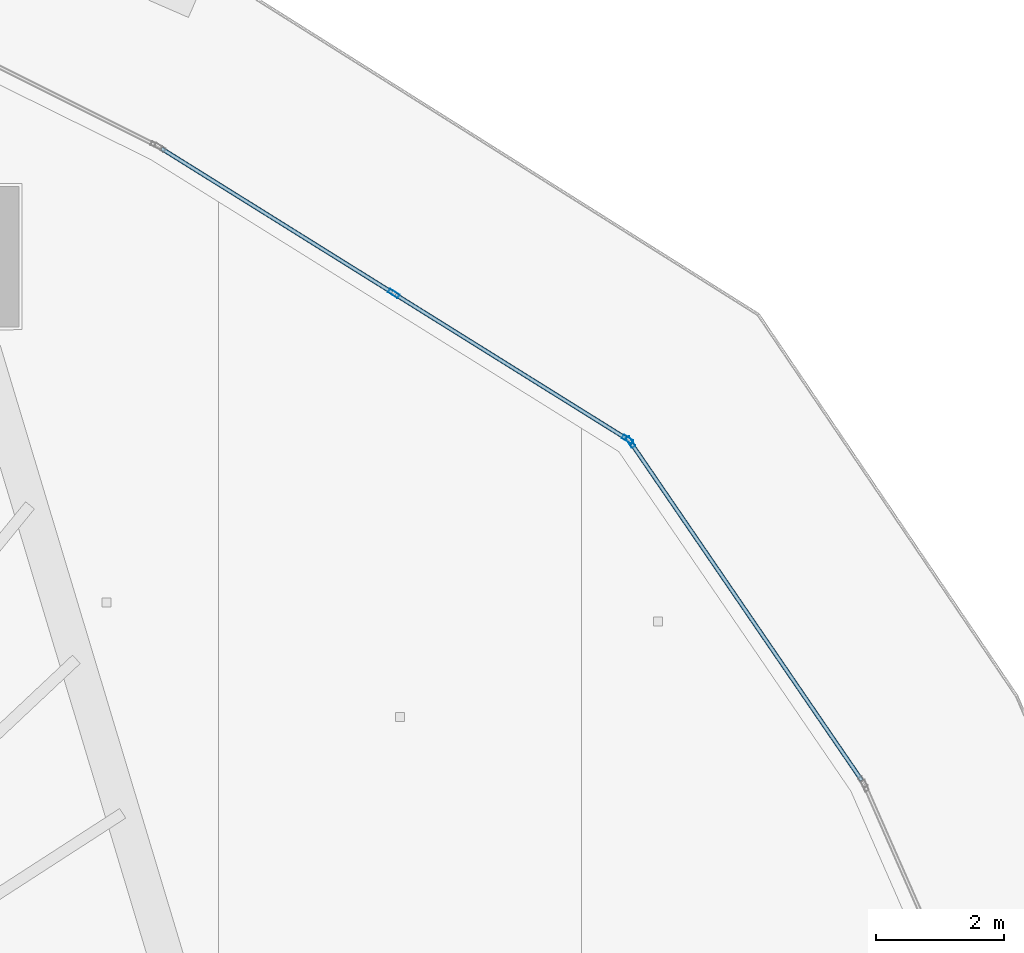
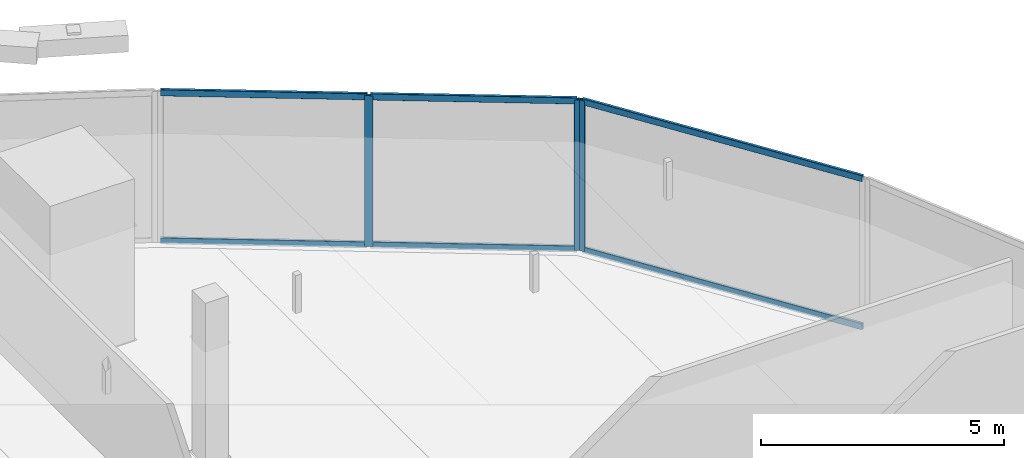
# One storey, part 21 of 35: 9 members, 2 elements without a shape of their own.
"""IFC4 building model written with IfcOpenShell, lengths in metres."""

import ifcopenshell
import ifcopenshell.guid

model = None  # the IFC model being written
_history = None  # IfcOwnerHistory: only IFC2X3 demands one
_inside = {}  # id of a spatial element -> (the spatial element, [elements in it])
_under = {}  # id of a project, library or spatial element -> (it, [spatial elements below it])
_declared = {}  # id of a project -> (the project, [libraries it declares])
_typed = {}  # id of a type object -> (the type object, [elements of that type])
_made_of = {}  # id of a material, layer set ... -> (it, [elements and type objects made of it])


def new_model(schema):
    """Start an empty IFC model of exactly this schema.

    Asked for "IFC4X3", IfcOpenShell would pick the latest addendum, in which some entities
    have other attributes; the version numbers below select the first issue.
    IFC2X3 requires an IfcOwnerHistory on every rooted entity: one is made here for all.
    """
    global model, _history
    if schema == "IFC4X3":
        model = ifcopenshell.file(schema_version=(4, 3, 0, 0))
    else:
        model = ifcopenshell.file(schema=schema)
    _inside.clear()
    _under.clear()
    _declared.clear()
    _typed.clear()
    _made_of.clear()
    _history = None
    if model.schema == "IFC2X3":
        org = make("IfcOrganization", Name="unknown")
        user = make(
            "IfcPersonAndOrganization",
            ThePerson=make("IfcPerson", FamilyName="unknown"),
            TheOrganization=org,
        )
        app = make(
            "IfcApplication",
            ApplicationDeveloper=org,
            Version="unknown",
            ApplicationFullName="unknown",
            ApplicationIdentifier="unknown",
        )
        _history = make(
            "IfcOwnerHistory",
            OwningUser=user,
            OwningApplication=app,
            ChangeAction="ADDED",
            CreationDate=0,
        )
    return model


def make(cls, **values):
    """One entity of the class cls with the attributes given. An attribute that is None is left unset."""
    return model.create_entity(
        cls, **{name: value for name, value in values.items() if value is not None}
    )


def rooted(cls, **values):
    """An entity with a GlobalId (a new one), such as an element, a storey or a relation."""
    return make(cls, GlobalId=ifcopenshell.guid.new(), OwnerHistory=_history, **values)


def si_unit(unit_type, name, prefix=None):
    """IfcSIUnit, for example si_unit("LENGTHUNIT", "METRE", prefix="MILLI")."""
    return make("IfcSIUnit", UnitType=unit_type, Prefix=prefix, Name=name)


def assignment(units):
    """IfcUnitAssignment: the units of a project."""
    return None if units is None else make("IfcUnitAssignment", Units=units)


def point(xyz):
    """IfcCartesianPoint."""
    return None if xyz is None else make("IfcCartesianPoint", Coordinates=xyz)


def direction(xyz):
    """IfcDirection."""
    return None if xyz is None else make("IfcDirection", DirectionRatios=xyz)


def frame(location, z_axis=None, x_axis=None):
    """IfcAxis2Placement3D, a coordinate frame: its origin and axes. An axis left out is left unset."""
    return make(
        "IfcAxis2Placement3D",
        Location=point(location),
        Axis=direction(z_axis),
        RefDirection=direction(x_axis),
    )


def frame_2d(location, x_axis=None):
    """IfcAxis2Placement2D, a coordinate frame in the plane: its origin and x axis."""
    return make(
        "IfcAxis2Placement2D", Location=point(location), RefDirection=direction(x_axis)
    )


def origin():
    """The frame at (0, 0, 0) with its axes left unset."""
    return frame((0.0, 0.0, 0.0))


def origin_2d():
    """The frame at (0, 0) in the plane with its x axis left unset."""
    return frame_2d((0.0, 0.0))


def place(relative_to, where):
    """IfcLocalPlacement: puts the frame where relative to a parent placement (None: the world)."""
    return make(
        "IfcLocalPlacement", PlacementRelTo=relative_to, RelativePlacement=where
    )


def context(
    kind, dimensions, precision=None, world=None, true_north=None, identifier=None
):
    """IfcGeometricRepresentationContext, for example the 3D "Model" context."""
    return make(
        "IfcGeometricRepresentationContext",
        ContextIdentifier=identifier,
        ContextType=kind,
        CoordinateSpaceDimension=dimensions,
        Precision=precision,
        WorldCoordinateSystem=world,
        TrueNorth=true_north,
    )


def subcontext(parent, identifier, kind, view, scale=None):
    """IfcGeometricRepresentationSubContext, for example "Body" below "Model"."""
    return make(
        "IfcGeometricRepresentationSubContext",
        ContextIdentifier=identifier,
        ContextType=kind,
        ParentContext=parent,
        TargetScale=scale,
        TargetView=view,
    )


def project(units=None, contexts=None):
    """IfcProject with its units and contexts."""
    return rooted(
        "IfcProject",
        Name="project",
        RepresentationContexts=contexts,
        UnitsInContext=assignment(units),
    )


def spatial(cls, under=None, at=None, **own):
    """A site, building, storey or space (cls), placed at a placement, below another one or the project."""
    s = rooted(cls, ObjectPlacement=at, **own)
    if under is not None:
        _under.setdefault(under.id(), (under, []))[1].append(s)
    return s


def profile(cls, at=None, kind="AREA", **sizes):
    """A parametric profile (cls). Its sizes go by their IFC names, for example OverallWidth=200.0."""
    return make(cls, ProfileType=kind, Position=at, **sizes)


def hollow_rectangle(**sizes):
    """IfcRectangleHollowProfileDef."""
    return profile("IfcRectangleHollowProfileDef", **sizes)


def extrude(swept, where, along, depth):
    """IfcExtrudedAreaSolid: the profile swept, set in the frame where, extruded along a direction by depth."""
    return make(
        "IfcExtrudedAreaSolid",
        SweptArea=swept,
        Position=where,
        ExtrudedDirection=direction(along),
        Depth=depth,
    )


def shape(context_of_items, identifier, shape_type, items):
    """IfcShapeRepresentation: the items that make up one representation, for example the "Body"."""
    return make(
        "IfcShapeRepresentation",
        ContextOfItems=context_of_items,
        RepresentationIdentifier=identifier,
        RepresentationType=shape_type,
        Items=items,
    )


def material(Name=None, Category=None):
    """IfcMaterial."""
    return make("IfcMaterial", Name=Name, Category=Category)


def layer(
    of_material, thickness, ventilated=None, Name=None, Category=None, Priority=None
):
    """IfcMaterialLayer: one layer of a wall or slab, of a material (None: an air gap)."""
    return make(
        "IfcMaterialLayer",
        Material=of_material,
        LayerThickness=thickness,
        IsVentilated=ventilated,
        Name=Name,
        Category=Category,
        Priority=Priority,
    )


def layer_set(layers, Name=None):
    """IfcMaterialLayerSet."""
    return make("IfcMaterialLayerSet", MaterialLayers=layers, LayerSetName=Name)


def material_profile(
    of_material, cross_section, Name=None, Category=None, Priority=None
):
    """IfcMaterialProfile: a cross section and its material."""
    return make(
        "IfcMaterialProfile",
        Name=Name,
        Material=of_material,
        Profile=cross_section,
        Priority=Priority,
        Category=Category,
    )


def profile_set(profiles, Name=None, composite=None):
    """IfcMaterialProfileSet."""
    return make(
        "IfcMaterialProfileSet",
        Name=Name,
        MaterialProfiles=profiles,
        CompositeProfile=composite,
    )


def made_of(thing, what):
    """Note that an element or type object is made of a material, layer set ...; save() writes the relation."""
    if what is not None:
        _made_of.setdefault(what.id(), (what, []))[1].append(thing)
    return thing


def type_object(cls, material=None, **own):
    """A type object (cls), such as IfcWallType, which elements share."""
    return made_of(rooted(cls, **own), material)


def element(
    cls,
    number,
    at=None,
    inside=None,
    cuts=None,
    type_object=None,
    material=None,
    context=None,
    identifier="Body",
    shape_type=None,
    held_by="IfcProductDefinitionShape",
    body=None,
    shapes=None,
    **own,
):
    """One element of the class cls, such as IfcWall. Its Tag is "e" and its number.

    at: its placement. inside: the storey or other place that contains it. cuts: it is an
    opening in that element (IfcRelVoidsElement). A single representation is given by context,
    identifier, shape_type and body (its items); several are given by shapes. held_by: the class
    of the entity that holds the representations. save() writes the other relations.
    """
    e = rooted(cls, Tag="e%d" % number, ObjectPlacement=at, **own)
    if body is not None:
        shapes = [shape(context, identifier, shape_type, body)]
    if shapes is not None:
        e.Representation = make(held_by, Representations=shapes)
    if inside is not None:
        _inside.setdefault(inside.id(), (inside, []))[1].append(e)
    if cuts is not None:
        rooted(
            "IfcRelVoidsElement", RelatingBuildingElement=cuts, RelatedOpeningElement=e
        )
    if type_object is not None:
        _typed.setdefault(type_object.id(), (type_object, []))[1].append(e)
    return made_of(e, material)


def aggregate(whole, parts):
    """IfcRelAggregates: a whole, such as a stair, and the parts it consists of."""
    return rooted("IfcRelAggregates", RelatingObject=whole, RelatedObjects=parts)


def save(model, path):
    """Write the relations noted so far, then the file.

    IfcRelAggregates (storeys below a building ...), IfcRelContainedInSpatialStructure (elements
    in a storey), IfcRelDefinesByType, IfcRelAssociatesMaterial and IfcRelDeclares: one each for
    every whole, place, type object, material and project.
    """
    for whole, parts in _under.values():
        aggregate(whole, parts)
    for where, things in _inside.values():
        rooted(
            "IfcRelContainedInSpatialStructure",
            RelatedElements=things,
            RelatingStructure=where,
        )
    for kind, things in _typed.values():
        rooted("IfcRelDefinesByType", RelatedObjects=things, RelatingType=kind)
    for what, things in _made_of.values():
        rooted("IfcRelAssociatesMaterial", RelatedObjects=things, RelatingMaterial=what)
    for by, libraries in _declared.values():
        rooted("IfcRelDeclares", RelatingContext=by, RelatedDefinitions=libraries)
    model.write(path)


model = new_model("IFC4")

# Units and contexts
model_context = context("Model", 3, precision=1e-05, world=origin(), true_north=direction((0.0, 1.0)))
body_context = subcontext(model_context, "Body", "Model", "MODEL_VIEW")
ifc_project = project(units=[si_unit("LENGTHUNIT", "METRE"), si_unit("AREAUNIT", "SQUARE_METRE"), si_unit("VOLUMEUNIT", "CUBIC_METRE"), si_unit("PLANEANGLEUNIT", "RADIAN"), si_unit("MASSUNIT", "GRAM", prefix="KILO")], contexts=[model_context])

# Site, building, storey
site_placement = place(None, origin())
site = spatial("IfcSite", under=ifc_project, at=site_placement, CompositionType="ELEMENT")
building_placement = place(site_placement, origin())
building = spatial("IfcBuilding", under=site, at=building_placement, Name="Qorvath Tower", CompositionType="ELEMENT")
storey_placement = place(building_placement, frame((0.0, 0.0, 166.5)))
storey = spatial("IfcBuildingStorey", under=building, at=storey_placement, Name="L38", CompositionType="ELEMENT", Elevation=166.5)

# Curtain wall, member
ifc_material_1 = material(Name="Anodised aluminium and triple low-E glass", Category="aluminium")
ifc_layer = layer(ifc_material_1, 0.179931640625)
ifc_layer_set = layer_set([ifc_layer], Name="CW-SYS-3")
curtain_wall_type = type_object("IfcCurtainWallType", Name="CW-SYS-3", PredefinedType="NOTDEFINED", material=ifc_layer_set)
curtain_wall_1_placement = place(storey_placement, origin())
curtain_wall_1 = element("IfcCurtainWall", 1, at=curtain_wall_1_placement, inside=storey, type_object=curtain_wall_type, Name="Curtain Wall CW-3 CW-T-L38-13.1", PredefinedType="NOTDEFINED")
ifc_material_2 = material(Name="Anodised aluminium 6063-T6", Category="aluminium")
ifc_material_profile_1 = material_profile(ifc_material_2, hollow_rectangle(XDim=0.06494140625, YDim=0.179931640625, WallThickness=0.00341796875, InnerFilletRadius=0.00341796875, OuterFilletRadius=0.007080078125, at=origin_2d()), Name="CWM 180x65")
ifc_profile_set_1 = profile_set([ifc_material_profile_1], Name="Anodised aluminium 6063-T6")
member_type_1 = type_object("IfcMemberType", Name="CWM-180", PredefinedType="MULLION", material=ifc_profile_set_1)
member_1_placement = place(storey_placement, frame((-4.781005859375, 22.343994140625, 0.0), z_axis=(0.0, 0.0, 1.0), x_axis=(-0.82552478625, -0.564365862971, 0.0)))
member_1 = element("IfcMember", 2, at=member_1_placement, type_object=member_type_1, Name="CW-3 mullion 2", PredefinedType="MULLION", context=body_context, shape_type="SweptSolid", body=[
    extrude(hollow_rectangle(XDim=0.06494140625, YDim=0.179931640625, WallThickness=0.00341796875, InnerFilletRadius=0.00341796875, OuterFilletRadius=0.007080078125, at=origin_2d()), origin(), (0.0, 0.0, 1.0), 3.780029296875),
])

# Curtain wall, members
curtain_wall_2_placement = place(storey_placement, origin())
curtain_wall_2 = element("IfcCurtainWall", 3, at=curtain_wall_2_placement, inside=storey, type_object=curtain_wall_type, Name="Curtain Wall CW-3 CW-T-L38-14.1", PredefinedType="NOTDEFINED")
member_2_placement = place(storey_placement, frame((-4.826904296875, 22.387939453125, 0.0), z_axis=(0.0, 0.0, 1.0), x_axis=(-0.529328282744, -0.848417096178, 0.0)))
member_2 = element("IfcMember", 4, at=member_2_placement, type_object=member_type_1, Name="CW-3 mullion 1", PredefinedType="MULLION", context=body_context, shape_type="SweptSolid", body=[
    extrude(hollow_rectangle(XDim=0.06494140625, YDim=0.179931640625, WallThickness=0.00341796875, InnerFilletRadius=0.00341796875, OuterFilletRadius=0.007080078125, at=origin_2d()), origin(), (0.0, 0.0, 1.0), 3.780029296875),
])
member_3_placement = place(storey_placement, frame((-8.484619140625, 24.669921875, 0.0), z_axis=(0.0, 0.0, 1.0), x_axis=(-0.529328282744, -0.848417096178, 0.0)))
member_3 = element("IfcMember", 5, at=member_3_placement, type_object=member_type_1, Name="CW-3 mullion 2", PredefinedType="MULLION", context=body_context, shape_type="SweptSolid", body=[
    extrude(hollow_rectangle(XDim=0.06494140625, YDim=0.179931640625, WallThickness=0.00341796875, InnerFilletRadius=0.00341796875, OuterFilletRadius=0.007080078125, at=origin_2d()), origin(), (0.0, 0.0, 1.0), 3.780029296875),
])

# Member
ifc_material_3 = material(Name="Anodised aluminium 6063-T6", Category="aluminium")
ifc_material_profile_2 = material_profile(ifc_material_3, hollow_rectangle(XDim=0.06494140625, YDim=0.159912109375, WallThickness=0.00341796875, InnerFilletRadius=0.00341796875, OuterFilletRadius=0.007080078125, at=origin_2d()), Name="CWT 160x65")
ifc_profile_set_2 = profile_set([ifc_material_profile_2], Name="Anodised aluminium 6063-T6")
member_type_2 = type_object("IfcMemberType", Name="CWT-160", PredefinedType="USERDEFINED", material=ifc_profile_set_2)
member_4_placement = place(storey_placement, frame((-1.1650390625, 17.054931640625, 0.032470703125), z_axis=(-0.564384562589, 0.825512002039, 0.0), x_axis=(-0.825512002039, -0.564384562589, 0.0)))
member_4 = element("IfcMember", 6, at=member_4_placement, type_object=member_type_2, Name="CW-3 transom 1.1", ObjectType="TRANSOM", PredefinedType="USERDEFINED", context=body_context, shape_type="SweptSolid", body=[
    extrude(hollow_rectangle(XDim=0.06494140625, YDim=0.159912109375, WallThickness=0.00341796875, InnerFilletRadius=0.00341796875, OuterFilletRadius=0.007080078125, at=origin_2d()), origin(), (0.0, 0.0, 1.0), 6.37451171875),
])

member_5_placement = place(storey_placement, frame((-1.1650390625, 17.054931640625, 3.74755859375), z_axis=(-0.564384562589, 0.825512002039, 0.0), x_axis=(-0.825512002039, -0.564384562589, 0.0)))
member_5 = element("IfcMember", 7, at=member_5_placement, type_object=member_type_2, Name="CW-3 transom 1.2", ObjectType="TRANSOM", PredefinedType="USERDEFINED", context=body_context, shape_type="SweptSolid", body=[
    extrude(hollow_rectangle(XDim=0.06494140625, YDim=0.159912109375, WallThickness=0.00341796875, InnerFilletRadius=0.00341796875, OuterFilletRadius=0.007080078125, at=origin_2d()), origin(), (0.0, 0.0, 1.0), 6.37451171875),
])

aggregate(curtain_wall_1, [member_1, member_4, member_5])

member_6_placement = place(storey_placement, frame((-4.8544921875, 22.4052734375, 0.032470703125), z_axis=(-0.848424411171, 0.529316557959, 0.0), x_axis=(-0.529316557959, -0.848424411171, 0.0)))
member_6 = element("IfcMember", 8, at=member_6_placement, type_object=member_type_2, Name="CW-3 transom 1.1", ObjectType="TRANSOM", PredefinedType="USERDEFINED", context=body_context, shape_type="SweptSolid", body=[
    extrude(hollow_rectangle(XDim=0.06494140625, YDim=0.159912109375, WallThickness=0.00341796875, InnerFilletRadius=0.00341796875, OuterFilletRadius=0.007080078125, at=origin_2d()), origin(), (0.0, 0.0, 1.0), 4.24609375),
])

member_7_placement = place(storey_placement, frame((-4.8544921875, 22.4052734375, 3.74755859375), z_axis=(-0.848424411171, 0.529316557959, 0.0), x_axis=(-0.529316557959, -0.848424411171, 0.0)))
member_7 = element("IfcMember", 9, at=member_7_placement, type_object=member_type_2, Name="CW-3 transom 1.2", ObjectType="TRANSOM", PredefinedType="USERDEFINED", context=body_context, shape_type="SweptSolid", body=[
    extrude(hollow_rectangle(XDim=0.06494140625, YDim=0.159912109375, WallThickness=0.00341796875, InnerFilletRadius=0.00341796875, OuterFilletRadius=0.007080078125, at=origin_2d()), origin(), (0.0, 0.0, 1.0), 4.24609375),
])

member_8_placement = place(storey_placement, frame((-8.511962890625, 24.687255859375, 0.032470703125), z_axis=(-0.848424411171, 0.529316557959, 0.0), x_axis=(-0.529316557959, -0.848424411171, 0.0)))
member_8 = element("IfcMember", 10, at=member_8_placement, type_object=member_type_2, Name="CW-3 transom 2.1", ObjectType="TRANSOM", PredefinedType="USERDEFINED", context=body_context, shape_type="SweptSolid", body=[
    extrude(hollow_rectangle(XDim=0.06494140625, YDim=0.159912109375, WallThickness=0.00341796875, InnerFilletRadius=0.00341796875, OuterFilletRadius=0.007080078125, at=origin_2d()), origin(), (0.0, 0.0, 1.0), 4.24609375),
])

member_9_placement = place(storey_placement, frame((-8.511962890625, 24.687255859375, 3.74755859375), z_axis=(-0.848424411171, 0.529316557959, 0.0), x_axis=(-0.529316557959, -0.848424411171, 0.0)))
member_9 = element("IfcMember", 11, at=member_9_placement, type_object=member_type_2, Name="CW-3 transom 2.2", ObjectType="TRANSOM", PredefinedType="USERDEFINED", context=body_context, shape_type="SweptSolid", body=[
    extrude(hollow_rectangle(XDim=0.06494140625, YDim=0.159912109375, WallThickness=0.00341796875, InnerFilletRadius=0.00341796875, OuterFilletRadius=0.007080078125, at=origin_2d()), origin(), (0.0, 0.0, 1.0), 4.24609375),
])

aggregate(curtain_wall_2, [member_2, member_3, member_6, member_7, member_8, member_9])

save(model, "model.ifc")
